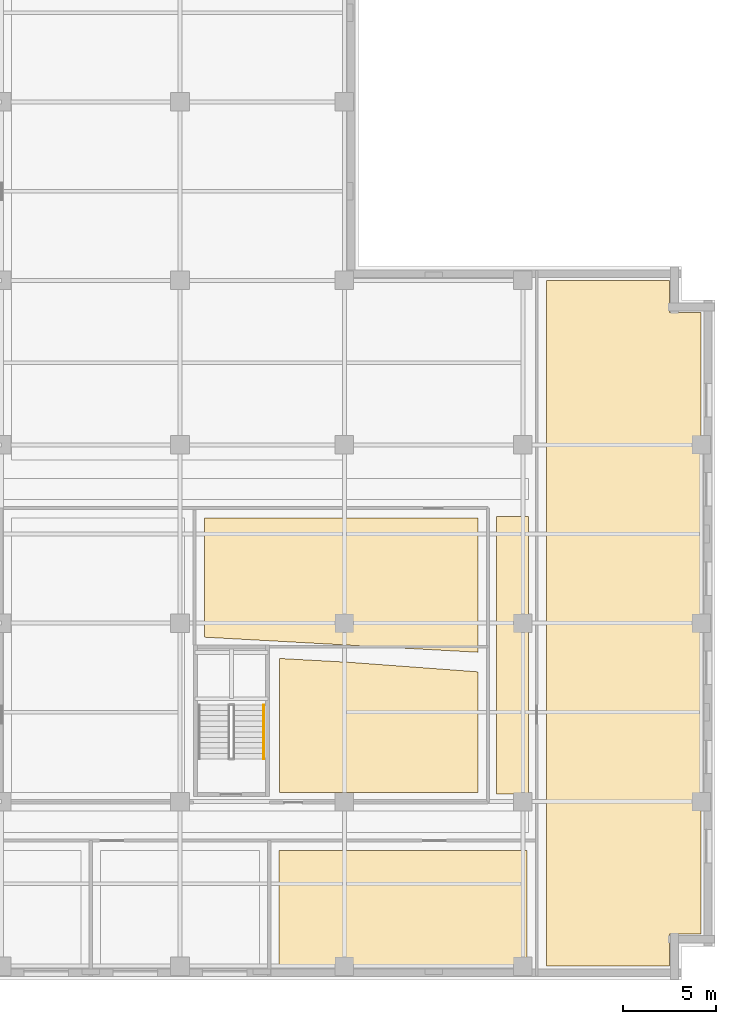
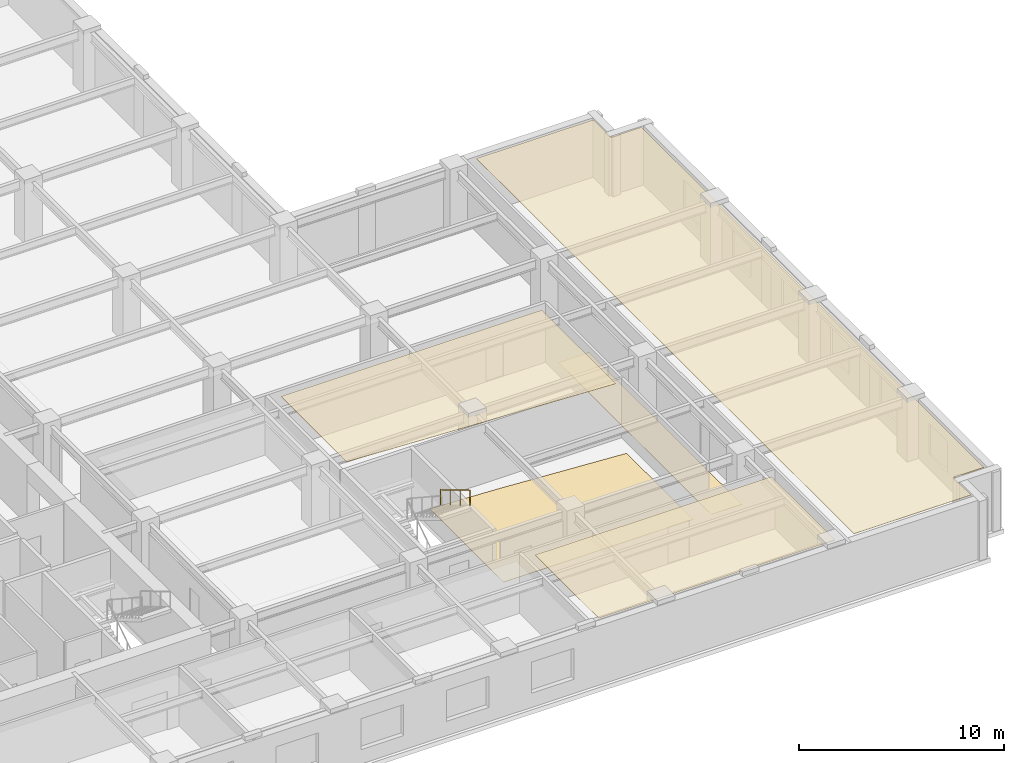
# One storey, part 8 of 11: 5 coverings, 1 railing.
"""IFC4 building model written with IfcOpenShell, lengths in metres."""

from ifc_helpers import new_model, si_unit, direction, frame, origin, origin_2d, place, context, subcontext, project, spatial, polyline, circle, outline, extrude, material, layer, layer_set, type_object, element, save


model = new_model("IFC4")

# Units and contexts
model_context = context("Model", 3, precision=1e-05, world=origin(), true_north=direction((0.0, 1.0)))
body_context = subcontext(model_context, "Body", "Model", "MODEL_VIEW")
ifc_project = project(units=[si_unit("LENGTHUNIT", "METRE"), si_unit("AREAUNIT", "SQUARE_METRE"), si_unit("VOLUMEUNIT", "CUBIC_METRE"), si_unit("PLANEANGLEUNIT", "RADIAN"), si_unit("MASSUNIT", "GRAM", prefix="KILO")], contexts=[model_context])

# Site, building, storey
site_placement = place(None, origin())
site = spatial("IfcSite", under=ifc_project, at=site_placement, CompositionType="ELEMENT")
building_placement = place(site_placement, origin())
building = spatial("IfcBuilding", under=site, at=building_placement, Name="Norrvale University Quadrangle", CompositionType="ELEMENT")
storey_placement = place(building_placement, frame((0.0, 0.0, 128.0)))
storey = spatial("IfcBuildingStorey", under=building, at=storey_placement, Name="L32", CompositionType="ELEMENT", Elevation=128.0)

# Coverings
ifc_material_1 = material(Name="Perforated Acoustic Mineral Ceiling")
ifc_layer_1 = layer(ifc_material_1, 0.02490234375, Name="Perforated Acoustic Mineral Ceiling")
ifc_layer_set_1 = layer_set([ifc_layer_1], Name="Perforated Acoustic Mineral Ceiling")
covering_type_1 = type_object("IfcCoveringType", Name="Covering Acoustic Ceiling 25", PredefinedType="CEILING", material=ifc_layer_set_1)
covering_1_placement = place(storey_placement, frame((0.0, 0.0, 3.514892578125)))
element("IfcCovering", 1, at=covering_1_placement, inside=storey, type_object=covering_type_1, Name="Acoustic Ceiling RM-L32-S04", PredefinedType="CEILING", context=body_context, shape_type="SweptSolid", body=[
    extrude(outline(polyline([(34.1298828125, 6.969970703125), (47.469970703125, 6.969970703125), (47.469970703125, 0.75), (34.1298828125, 0.75), (34.1298828125, 6.969970703125)])), origin(), (0.0, 0.0, 1.0), 0.025146484375),
])
covering_2_placement = place(storey_placement, frame((0.0, 0.0, 3.514892578125)))
element("IfcCovering", 2, at=covering_2_placement, inside=storey, type_object=covering_type_1, Name="Acoustic Ceiling RM-L32-E01", PredefinedType="CEILING", context=body_context, shape_type="SweptSolid", body=[
    extrude(outline(polyline([(48.530029296875, 0.75), (48.530029296875, 37.64990234375), (55.1298828125, 37.64990234375), (55.1298828125, 35.929931640625), (56.85009765625, 35.929931640625), (56.85009765625, 2.469970703125), (55.1298828125, 2.469970703125), (55.1298828125, 0.75), (48.530029296875, 0.75)])), origin(), (0.0, 0.0, 1.0), 0.025146484375),
])
covering_3_placement = place(storey_placement, frame((0.0, 0.0, 3.514892578125)))
element("IfcCovering", 3, at=covering_3_placement, inside=storey, type_object=covering_type_1, Name="Acoustic Ceiling RM-L32-ILH", PredefinedType="CEILING", context=body_context, shape_type="SweptSolid", body=[
    extrude(outline(polyline([(30.1298828125, 18.446044921875), (30.1298828125, 24.8701171875), (44.844970703125, 24.8701171875), (44.844970703125, 17.635009765625), (30.1298828125, 18.446044921875)])), origin(), (0.0, 0.0, 1.0), 0.025146484375),
])
ifc_material_2 = material(Name="Polished Terrazzo Flooring")
ifc_layer_2 = layer(ifc_material_2, 0.02490234375, Name="Polished Terrazzo Flooring")
ifc_layer_set_2 = layer_set([ifc_layer_2], Name="Polished Terrazzo Flooring")
covering_type_2 = type_object("IfcCoveringType", Name="Covering Terrazzo Floor 30", PredefinedType="FLOORING", material=ifc_layer_set_2)
covering_4_placement = place(storey_placement, origin())
element("IfcCovering", 4, at=covering_4_placement, inside=storey, type_object=covering_type_2, Name="Terrazzo Flooring RM-L32-CORR2", PredefinedType="FLOORING", context=body_context, shape_type="SweptSolid", body=[
    extrude(outline(polyline([(45.824951171875, 10.0), (45.824951171875, 24.949951171875), (47.550048828125, 24.949951171875), (47.550048828125, 10.0), (45.824951171875, 10.0)])), origin(), (0.0, 0.0, 1.0), 0.02490234375),
])
covering_5_placement = place(storey_placement, origin())
element("IfcCovering", 5, at=covering_5_placement, inside=storey, type_object=covering_type_2, Name="Terrazzo Flooring RM-L32-ISE", PredefinedType="FLOORING", context=body_context, shape_type="SweptSolid", body=[
    extrude(outline(polyline([(44.844970703125, 16.58203125), (44.844970703125, 10.080078125), (34.14990234375, 10.080078125), (34.14990234375, 17.303955078125), (37.93603515625, 17.094970703125), (44.844970703125, 16.58203125)])), origin(), (0.0, 0.0, 1.0), 0.02490234375),
])

# Railing
ifc_material_3 = material(Name="Stainless Steel 316L Handrail", Category="steel")
railing_type = type_object("IfcRailingType", Name="Railing Stair Handrail 920", PredefinedType="HANDRAIL", material=ifc_material_3)
railing_placement = place(storey_placement, frame((33.31005859375, 14.800048828125, 2.07275390625)))
element("IfcRailing", 6, at=railing_placement, inside=storey, type_object=railing_type, Name="Stair Upper Flight Handrail ST-04 L32", PredefinedType="HANDRAIL", context=body_context, shape_type="SweptSolid", body=[
    extrude(circle(Radius=0.02392578125, at=origin_2d()), frame((0.0, 0.0, 0.89599609375), z_axis=(0.0, -0.859160404282, 0.51170636083), x_axis=(1.0, 0.0, 0.0)), (0.0, 0.0, 1.0), 3.37548828125),
    extrude(circle(Radius=0.02099609375, at=origin_2d()), origin(), (0.0, 0.0, 1.0), 0.871826171875),
    extrude(circle(Radius=0.02099609375, at=origin_2d()), frame((0.0, -0.966796875, 0.57568359375)), (0.0, 0.0, 1.0), 0.871826171875),
    extrude(circle(Radius=0.02099609375, at=origin_2d()), frame((0.0, -1.933349609375, 1.151611328125)), (0.0, 0.0, 1.0), 0.871826171875),
    extrude(circle(Radius=0.02099609375, at=origin_2d()), frame((0.0, -2.900146484375, 1.727294921875)), (0.0, 0.0, 1.0), 0.871826171875),
])

save(model, "model.ifc")
